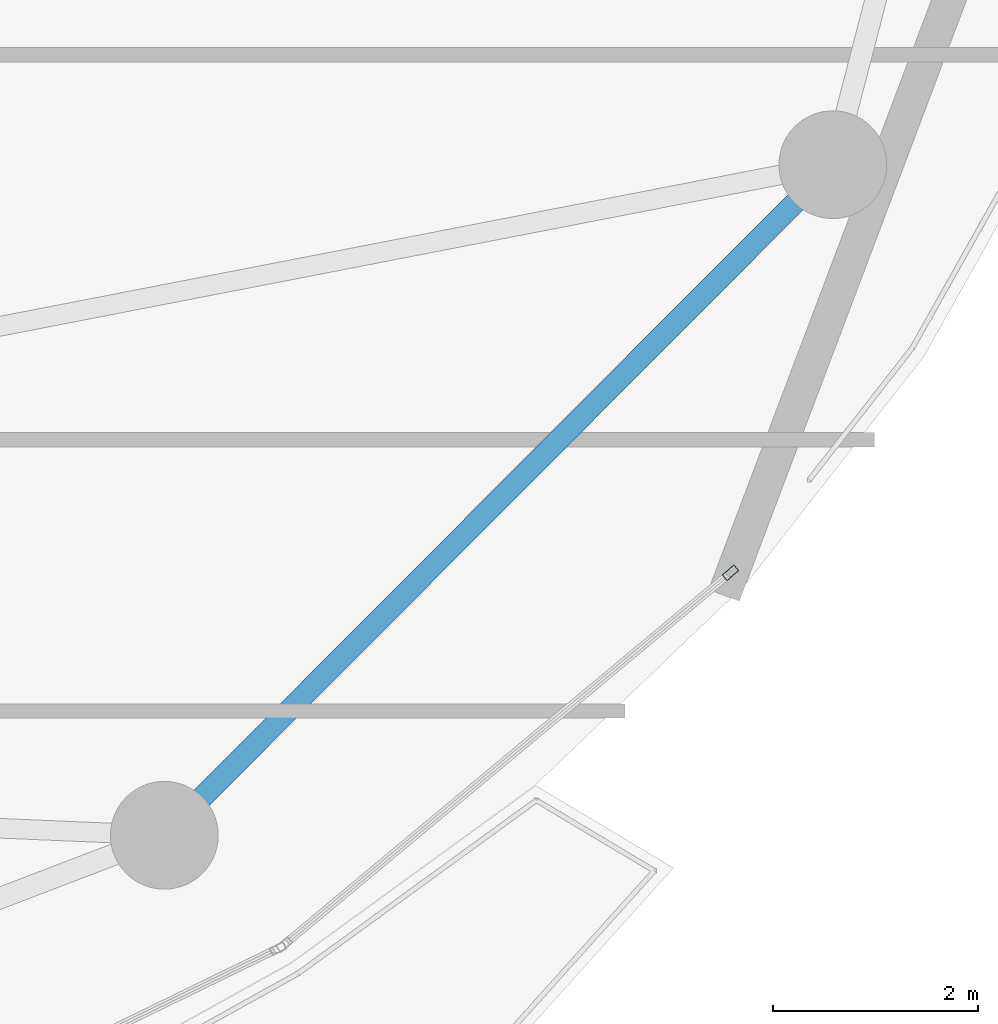
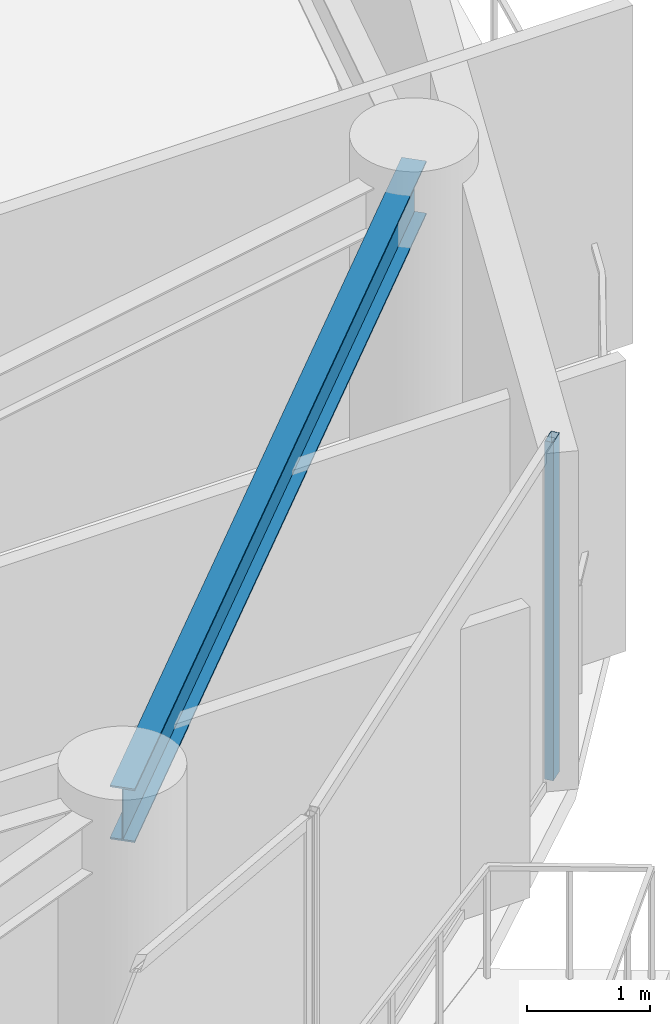
# One storey, part 13 of 29: 1 beam, 1 member, 1 element without a shape of its own.
"""IFC4 building model written with IfcOpenShell, lengths in metres."""

from ifc_helpers import new_model, si_unit, direction, frame, origin, origin_2d, place, context, subcontext, project, spatial, hollow_rectangle, i_section, extrude, material, layer, layer_set, material_profile, profile_set, type_object, element, aggregate, save


model = new_model("IFC4")

# Units and contexts
model_context = context("Model", 3, precision=1e-05, world=origin(), true_north=direction((0.0, 1.0)))
body_context = subcontext(model_context, "Body", "Model", "MODEL_VIEW")
ifc_project = project(units=[si_unit("LENGTHUNIT", "METRE"), si_unit("AREAUNIT", "SQUARE_METRE"), si_unit("VOLUMEUNIT", "CUBIC_METRE"), si_unit("PLANEANGLEUNIT", "RADIAN"), si_unit("MASSUNIT", "GRAM", prefix="KILO")], contexts=[model_context])

# Site, building, storey
site_placement = place(None, origin())
site = spatial("IfcSite", under=ifc_project, at=site_placement, CompositionType="ELEMENT")
building_placement = place(site_placement, origin())
building = spatial("IfcBuilding", under=site, at=building_placement, Name="Kazevale Care Tower and Concert Hall", CompositionType="ELEMENT")
storey_placement = place(building_placement, frame((0.0, 0.0, 224.39990234375)))
storey = spatial("IfcBuildingStorey", under=building, at=storey_placement, Name="L59", CompositionType="ELEMENT", Elevation=224.39990234375)

# Curtain wall, member
ifc_material_1 = material(Name="Aluminium 6063-T6 and Low-E Glass", Category="aluminium")
ifc_layer = layer(ifc_material_1, 0.179931640625)
ifc_layer_set = layer_set([ifc_layer], Name="Aluminium 6063-T6 and Low-E Glass")
curtain_wall_type = type_object("IfcCurtainWallType", Name="Sheltered Concave Balcony Curtain Wall CW-5", PredefinedType="NOTDEFINED", material=ifc_layer_set)
curtain_wall_placement = place(storey_placement, origin())
curtain_wall = element("IfcCurtainWall", 1, at=curtain_wall_placement, inside=storey, type_object=curtain_wall_type, Name="cw:L59:f02", PredefinedType="NOTDEFINED")
ifc_material_2 = material(Name="Aluminium 6063-T6", Category="aluminium")
ifc_material_profile_1 = material_profile(ifc_material_2, hollow_rectangle(XDim=0.074951171875, YDim=0.14990234375, WallThickness=0.00390625, at=origin_2d()), Name="ALU75x150x4")
ifc_profile_set_1 = profile_set([ifc_material_profile_1], Name="Aluminium 6063-T6")
member_type = type_object("IfcMemberType", Name="CW-5 Mullion ALU75x150x4", PredefinedType="MULLION", material=ifc_profile_set_1)
member_placement = place(storey_placement, frame((71.76318359375, 25.2060546875, 0.0), z_axis=(0.0, 0.0, 1.0), x_axis=(0.639961217204, -0.768407210062, 0.0)))
member = element("IfcMember", 2, at=member_placement, type_object=member_type, Name="CW-5 mullion 1", PredefinedType="MULLION", context=body_context, shape_type="SweptSolid", body=[
    extrude(hollow_rectangle(XDim=0.074951171875, YDim=0.14990234375, WallThickness=0.00390625, at=origin_2d()), origin(), (0.0, 0.0, 1.0), 3.360107421875),
])
aggregate(curtain_wall, [member])

# Beam
ifc_material_3 = material(Name="Steel ASTM A572 Gr 50", Category="steel")
ifc_material_profile_2 = material_profile(ifc_material_3, i_section(OverallWidth=0.208984375, OverallDepth=0.532958984375, WebThickness=0.01025390625, FlangeThickness=0.015625, at=origin_2d()), Name="W530x92")
ifc_profile_set_2 = profile_set([ifc_material_profile_2], Name="Steel ASTM A572 Gr 50")
beam_type = type_object("IfcBeamType", Name="Upper Ring Beam W530x92", PredefinedType="BEAM", material=ifc_profile_set_2)
beam_placement = place(storey_placement, frame((66.25, 22.64990234375, 3.093505859375), z_axis=(0.706020373708, 0.708191522054, 0.0), x_axis=(-0.708191522054, 0.706020373708, 0.0)))
element("IfcBeam", 3, at=beam_placement, inside=storey, type_object=beam_type, Name="beam:L59:ring:15", PredefinedType="BEAM", context=body_context, shape_type="SweptSolid", body=[
    extrude(i_section(OverallWidth=0.208984375, OverallDepth=0.532958984375, WebThickness=0.01025390625, FlangeThickness=0.015625, at=origin_2d()), origin(), (0.0, 0.0, 1.0), 9.220703125),
])

save(model, "model.ifc")
